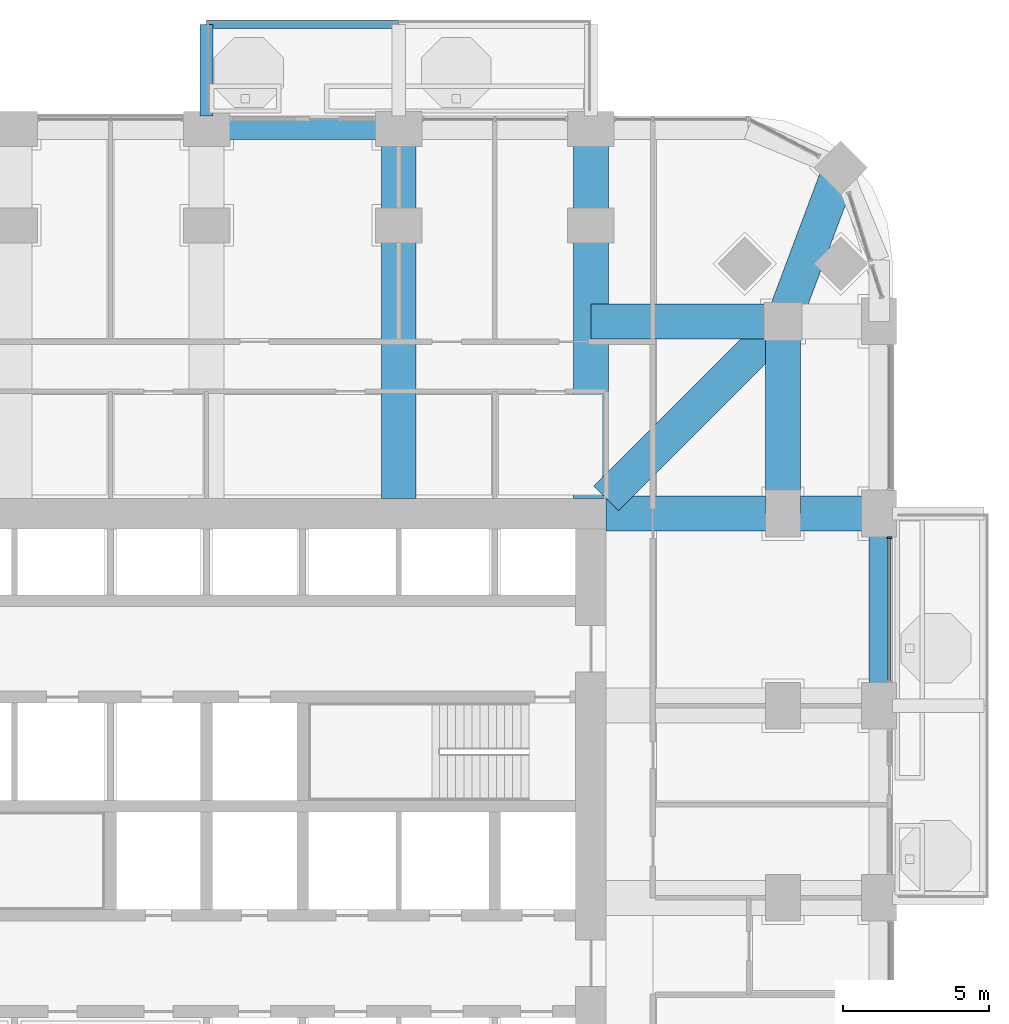
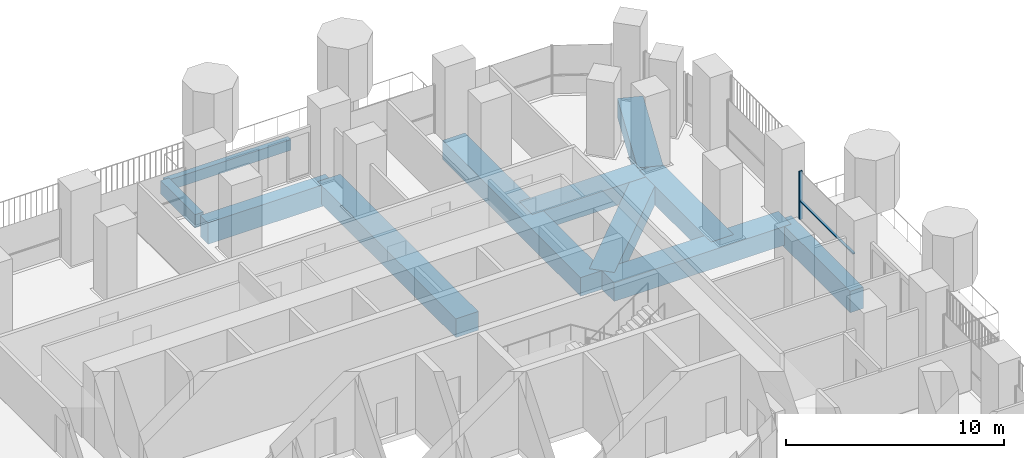
# One storey, part 7 of 22: 11 beams, 2 members, 1 element without a shape of its own.
"""IFC4 building model written with IfcOpenShell, lengths in metres."""

import ifcopenshell
import ifcopenshell.guid

model = None  # the IFC model being written
_history = None  # IfcOwnerHistory: only IFC2X3 demands one
_inside = {}  # id of a spatial element -> (the spatial element, [elements in it])
_under = {}  # id of a project, library or spatial element -> (it, [spatial elements below it])
_declared = {}  # id of a project -> (the project, [libraries it declares])
_typed = {}  # id of a type object -> (the type object, [elements of that type])
_made_of = {}  # id of a material, layer set ... -> (it, [elements and type objects made of it])


def new_model(schema):
    """Start an empty IFC model of exactly this schema.

    Asked for "IFC4X3", IfcOpenShell would pick the latest addendum, in which some entities
    have other attributes; the version numbers below select the first issue.
    IFC2X3 requires an IfcOwnerHistory on every rooted entity: one is made here for all.
    """
    global model, _history
    if schema == "IFC4X3":
        model = ifcopenshell.file(schema_version=(4, 3, 0, 0))
    else:
        model = ifcopenshell.file(schema=schema)
    _inside.clear()
    _under.clear()
    _declared.clear()
    _typed.clear()
    _made_of.clear()
    _history = None
    if model.schema == "IFC2X3":
        org = make("IfcOrganization", Name="unknown")
        user = make(
            "IfcPersonAndOrganization",
            ThePerson=make("IfcPerson", FamilyName="unknown"),
            TheOrganization=org,
        )
        app = make(
            "IfcApplication",
            ApplicationDeveloper=org,
            Version="unknown",
            ApplicationFullName="unknown",
            ApplicationIdentifier="unknown",
        )
        _history = make(
            "IfcOwnerHistory",
            OwningUser=user,
            OwningApplication=app,
            ChangeAction="ADDED",
            CreationDate=0,
        )
    return model


def make(cls, **values):
    """One entity of the class cls with the attributes given. An attribute that is None is left unset."""
    return model.create_entity(
        cls, **{name: value for name, value in values.items() if value is not None}
    )


def rooted(cls, **values):
    """An entity with a GlobalId (a new one), such as an element, a storey or a relation."""
    return make(cls, GlobalId=ifcopenshell.guid.new(), OwnerHistory=_history, **values)


def si_unit(unit_type, name, prefix=None):
    """IfcSIUnit, for example si_unit("LENGTHUNIT", "METRE", prefix="MILLI")."""
    return make("IfcSIUnit", UnitType=unit_type, Prefix=prefix, Name=name)


def assignment(units):
    """IfcUnitAssignment: the units of a project."""
    return None if units is None else make("IfcUnitAssignment", Units=units)


def point(xyz):
    """IfcCartesianPoint."""
    return None if xyz is None else make("IfcCartesianPoint", Coordinates=xyz)


def direction(xyz):
    """IfcDirection."""
    return None if xyz is None else make("IfcDirection", DirectionRatios=xyz)


def frame(location, z_axis=None, x_axis=None):
    """IfcAxis2Placement3D, a coordinate frame: its origin and axes. An axis left out is left unset."""
    return make(
        "IfcAxis2Placement3D",
        Location=point(location),
        Axis=direction(z_axis),
        RefDirection=direction(x_axis),
    )


def frame_2d(location, x_axis=None):
    """IfcAxis2Placement2D, a coordinate frame in the plane: its origin and x axis."""
    return make(
        "IfcAxis2Placement2D", Location=point(location), RefDirection=direction(x_axis)
    )


def origin():
    """The frame at (0, 0, 0) with its axes left unset."""
    return frame((0.0, 0.0, 0.0))


def origin_2d():
    """The frame at (0, 0) in the plane with its x axis left unset."""
    return frame_2d((0.0, 0.0))


def place(relative_to, where):
    """IfcLocalPlacement: puts the frame where relative to a parent placement (None: the world)."""
    return make(
        "IfcLocalPlacement", PlacementRelTo=relative_to, RelativePlacement=where
    )


def context(
    kind, dimensions, precision=None, world=None, true_north=None, identifier=None
):
    """IfcGeometricRepresentationContext, for example the 3D "Model" context."""
    return make(
        "IfcGeometricRepresentationContext",
        ContextIdentifier=identifier,
        ContextType=kind,
        CoordinateSpaceDimension=dimensions,
        Precision=precision,
        WorldCoordinateSystem=world,
        TrueNorth=true_north,
    )


def subcontext(parent, identifier, kind, view, scale=None):
    """IfcGeometricRepresentationSubContext, for example "Body" below "Model"."""
    return make(
        "IfcGeometricRepresentationSubContext",
        ContextIdentifier=identifier,
        ContextType=kind,
        ParentContext=parent,
        TargetScale=scale,
        TargetView=view,
    )


def project(units=None, contexts=None):
    """IfcProject with its units and contexts."""
    return rooted(
        "IfcProject",
        Name="project",
        RepresentationContexts=contexts,
        UnitsInContext=assignment(units),
    )


def spatial(cls, under=None, at=None, **own):
    """A site, building, storey or space (cls), placed at a placement, below another one or the project."""
    s = rooted(cls, ObjectPlacement=at, **own)
    if under is not None:
        _under.setdefault(under.id(), (under, []))[1].append(s)
    return s


def profile(cls, at=None, kind="AREA", **sizes):
    """A parametric profile (cls). Its sizes go by their IFC names, for example OverallWidth=200.0."""
    return make(cls, ProfileType=kind, Position=at, **sizes)


def rectangle(**sizes):
    """IfcRectangleProfileDef."""
    return profile("IfcRectangleProfileDef", **sizes)


def extrude(swept, where, along, depth):
    """IfcExtrudedAreaSolid: the profile swept, set in the frame where, extruded along a direction by depth."""
    return make(
        "IfcExtrudedAreaSolid",
        SweptArea=swept,
        Position=where,
        ExtrudedDirection=direction(along),
        Depth=depth,
    )


def shape(context_of_items, identifier, shape_type, items):
    """IfcShapeRepresentation: the items that make up one representation, for example the "Body"."""
    return make(
        "IfcShapeRepresentation",
        ContextOfItems=context_of_items,
        RepresentationIdentifier=identifier,
        RepresentationType=shape_type,
        Items=items,
    )


def material(Name=None, Category=None):
    """IfcMaterial."""
    return make("IfcMaterial", Name=Name, Category=Category)


def material_profile(
    of_material, cross_section, Name=None, Category=None, Priority=None
):
    """IfcMaterialProfile: a cross section and its material."""
    return make(
        "IfcMaterialProfile",
        Name=Name,
        Material=of_material,
        Profile=cross_section,
        Priority=Priority,
        Category=Category,
    )


def profile_set(profiles, Name=None, composite=None):
    """IfcMaterialProfileSet."""
    return make(
        "IfcMaterialProfileSet",
        Name=Name,
        MaterialProfiles=profiles,
        CompositeProfile=composite,
    )


def made_of(thing, what):
    """Note that an element or type object is made of a material, layer set ...; save() writes the relation."""
    if what is not None:
        _made_of.setdefault(what.id(), (what, []))[1].append(thing)
    return thing


def type_object(cls, material=None, **own):
    """A type object (cls), such as IfcWallType, which elements share."""
    return made_of(rooted(cls, **own), material)


def element(
    cls,
    number,
    at=None,
    inside=None,
    cuts=None,
    type_object=None,
    material=None,
    context=None,
    identifier="Body",
    shape_type=None,
    held_by="IfcProductDefinitionShape",
    body=None,
    shapes=None,
    **own,
):
    """One element of the class cls, such as IfcWall. Its Tag is "e" and its number.

    at: its placement. inside: the storey or other place that contains it. cuts: it is an
    opening in that element (IfcRelVoidsElement). A single representation is given by context,
    identifier, shape_type and body (its items); several are given by shapes. held_by: the class
    of the entity that holds the representations. save() writes the other relations.
    """
    e = rooted(cls, Tag="e%d" % number, ObjectPlacement=at, **own)
    if body is not None:
        shapes = [shape(context, identifier, shape_type, body)]
    if shapes is not None:
        e.Representation = make(held_by, Representations=shapes)
    if inside is not None:
        _inside.setdefault(inside.id(), (inside, []))[1].append(e)
    if cuts is not None:
        rooted(
            "IfcRelVoidsElement", RelatingBuildingElement=cuts, RelatedOpeningElement=e
        )
    if type_object is not None:
        _typed.setdefault(type_object.id(), (type_object, []))[1].append(e)
    return made_of(e, material)


def aggregate(whole, parts):
    """IfcRelAggregates: a whole, such as a stair, and the parts it consists of."""
    return rooted("IfcRelAggregates", RelatingObject=whole, RelatedObjects=parts)


def save(model, path):
    """Write the relations noted so far, then the file.

    IfcRelAggregates (storeys below a building ...), IfcRelContainedInSpatialStructure (elements
    in a storey), IfcRelDefinesByType, IfcRelAssociatesMaterial and IfcRelDeclares: one each for
    every whole, place, type object, material and project.
    """
    for whole, parts in _under.values():
        aggregate(whole, parts)
    for where, things in _inside.values():
        rooted(
            "IfcRelContainedInSpatialStructure",
            RelatedElements=things,
            RelatingStructure=where,
        )
    for kind, things in _typed.values():
        rooted("IfcRelDefinesByType", RelatedObjects=things, RelatingType=kind)
    for what, things in _made_of.values():
        rooted("IfcRelAssociatesMaterial", RelatedObjects=things, RelatingMaterial=what)
    for by, libraries in _declared.values():
        rooted("IfcRelDeclares", RelatingContext=by, RelatedDefinitions=libraries)
    model.write(path)


model = new_model("IFC4")

# Units and contexts
model_context = context("Model", 3, precision=1e-05, world=origin(), true_north=direction((0.0, 1.0)))
body_context = subcontext(model_context, "Body", "Model", "MODEL_VIEW")
ifc_project = project(units=[si_unit("LENGTHUNIT", "METRE"), si_unit("AREAUNIT", "SQUARE_METRE"), si_unit("VOLUMEUNIT", "CUBIC_METRE"), si_unit("PLANEANGLEUNIT", "RADIAN"), si_unit("MASSUNIT", "GRAM", prefix="KILO")], contexts=[model_context])

# Site, building, storey
site_placement = place(None, origin())
site = spatial("IfcSite", under=ifc_project, at=site_placement, CompositionType="ELEMENT")
building_placement = place(site_placement, origin())
building = spatial("IfcBuilding", under=site, at=building_placement, Name="Cobogo Forest Laboratory Tower", CompositionType="ELEMENT")
storey_placement = place(building_placement, frame((0.0, 0.0, 94.800048828125)))
storey = spatial("IfcBuildingStorey", under=building, at=storey_placement, Name="L21", CompositionType="ELEMENT", Elevation=94.800048828125)

# Beams
ifc_material_1 = material(Name="Concrete HA-40 (C40/50)", Category="concrete")
ifc_material_profile_1 = material_profile(ifc_material_1, rectangle(XDim=0.449951171875, YDim=0.75, at=origin_2d()), Name="RC 450x750")
ifc_profile_set_1 = profile_set([ifc_material_profile_1], Name="Concrete HA-40 (C40/50)")
beam_type_1 = type_object("IfcBeamType", Name="Balcony cantilever beam 450x750", PredefinedType="BEAM", material=ifc_profile_set_1)
beam_1_placement = place(storey_placement, frame((26.39990234375, 46.64990234375, -0.625), z_axis=(0.0, 1.0, 0.0), x_axis=(-1.0, 0.0, 0.0)))
element("IfcBeam", 1, at=beam_1_placement, inside=storey, type_object=beam_type_1, Name="CB1 BAL-N1-C1 L21", PredefinedType="BEAM", context=body_context, shape_type="SweptSolid", body=[
    extrude(rectangle(XDim=0.449951171875, YDim=0.75, at=origin_2d()), origin(), (0.0, 0.0, 1.0), 3.150146484375),
])
ifc_material_profile_2 = material_profile(ifc_material_1, rectangle(XDim=0.300048828125, YDim=0.60009765625, at=origin_2d()), Name="RC 300x600")
ifc_profile_set_2 = profile_set([ifc_material_profile_2], Name="Concrete HA-40 (C40/50)")
beam_type_2 = type_object("IfcBeamType", Name="Balcony edge beam 300x600", PredefinedType="BEAM", material=ifc_profile_set_2)
beam_2_placement = place(storey_placement, frame((26.39990234375, 49.800048828125, -0.550048828125), z_axis=(1.0, 0.0, 0.0), x_axis=(0.0, 1.0, 0.0)))
element("IfcBeam", 2, at=beam_2_placement, inside=storey, type_object=beam_type_2, Name="BB1 BAL-N1-T1 L21", PredefinedType="BEAM", context=body_context, shape_type="SweptSolid", body=[
    extrude(rectangle(XDim=0.300048828125, YDim=0.60009765625, at=origin_2d()), origin(), (0.0, 0.0, 1.0), 6.60009765625),
])
ifc_material_profile_3 = material_profile(ifc_material_1, rectangle(XDim=1.199951171875, YDim=1.050048828125, at=origin_2d()), Name="RC 1200x1050")
ifc_profile_set_3 = profile_set([ifc_material_profile_3], Name="Concrete HA-40 (C40/50)")
beam_type_3 = type_object("IfcBeamType", Name="Laboratory floor wide beam 1200x1050", PredefinedType="BEAM", material=ifc_profile_set_3)
for number, where, z_axis, x_axis, name in (
    (3, (33.0, 33.52490234375, -0.824951171875), (0.0, 1.0, 0.0), (-1.0, 0.0, 0.0), "RB1 R-6-N L21"),
    (4, (39.60009765625, 33.52490234375, -0.824951171875), (0.0, 1.0, 0.0), (-1.0, 0.0, 0.0), "RB1 R-7-N L21"),
):
    element("IfcBeam", number, at=place(storey_placement, frame(where, z_axis=z_axis, x_axis=x_axis)), inside=storey, type_object=beam_type_3, Name=name, PredefinedType="BEAM", context=body_context, shape_type="SweptSolid", body=[
        extrude(rectangle(XDim=1.199951171875, YDim=1.050048828125, at=origin_2d()), origin(), (0.0, 0.0, 1.0), 12.675048828125),
    ])
beam_3_placement = place(storey_placement, frame((40.125, 33.0, -0.824951171875), z_axis=(1.0, 0.0, 0.0), x_axis=(0.0, 1.0, 0.0)))
element("IfcBeam", 5, at=beam_3_placement, inside=storey, type_object=beam_type_3, Name="RB1 R-F-E L21", PredefinedType="BEAM", context=body_context, shape_type="SweptSolid", body=[
    extrude(rectangle(XDim=1.199951171875, YDim=1.050048828125, at=origin_2d()), origin(), (0.0, 0.0, 1.0), 9.375),
])
beam_4_placement = place(storey_placement, frame((46.199951171875, 39.60009765625, -0.824951171875), z_axis=(0.0, -1.0, 0.0), x_axis=(1.0, 0.0, 0.0)))
element("IfcBeam", 6, at=beam_4_placement, inside=storey, type_object=beam_type_3, Name="RB1 G-NE-XC L21", PredefinedType="BEAM", context=body_context, shape_type="SweptSolid", body=[
    extrude(rectangle(XDim=1.199951171875, YDim=1.050048828125, at=origin_2d()), origin(), (0.0, 0.0, 1.0), 6.60009765625),
])
beam_5_placement = place(storey_placement, frame((46.199951171875, 39.60009765625, -0.824951171875), z_axis=(-1.0, 0.0, 0.0), x_axis=(0.0, -1.0, 0.0)))
element("IfcBeam", 7, at=beam_5_placement, inside=storey, type_object=beam_type_3, Name="RB1 G-NE-YC L21", PredefinedType="BEAM", context=body_context, shape_type="SweptSolid", body=[
    extrude(rectangle(XDim=1.199951171875, YDim=1.050048828125, at=origin_2d()), origin(), (0.0, 0.0, 1.0), 6.599853515625),
])
beam_6_placement = place(storey_placement, frame((48.181884765625, 44.882080078125, -0.824951171875), z_axis=(-0.351308391925, -0.936259800356, 0.0), x_axis=(0.936259800356, -0.351308391925, 0.0)))
element("IfcBeam", 8, at=beam_6_placement, inside=storey, type_object=beam_type_3, Name="RB1 G-NE-D1 L21", PredefinedType="BEAM", context=body_context, shape_type="SweptSolid", body=[
    extrude(rectangle(XDim=1.199951171875, YDim=1.050048828125, at=origin_2d()), origin(), (0.0, 0.0, 1.0), 5.6416015625),
])
beam_7_placement = place(storey_placement, frame((46.199951171875, 39.60009765625, -0.824951171875), z_axis=(-0.707092572697, -0.70712098939, 0.0), x_axis=(0.70712098939, -0.707092572697, 0.0)))
element("IfcBeam", 9, at=beam_7_placement, inside=storey, type_object=beam_type_3, Name="RB1 G-NE-D2 L21", PredefinedType="BEAM", context=body_context, shape_type="SweptSolid", body=[
    extrude(rectangle(XDim=1.199951171875, YDim=1.050048828125, at=origin_2d()), origin(), (0.0, 0.0, 1.0), 8.591552734375),
])

# Curtain wall, member
ifc_material_2 = material(Name="Aluminium curtain wall", Category="aluminium")
curtain_wall_type = type_object("IfcCurtainWallType", Name="CW-1 unitised curtain wall, clear glazing, laboratory floors zones A and B", PredefinedType="USERDEFINED", material=ifc_material_2)
curtain_wall_placement = place(storey_placement, origin())
curtain_wall = element("IfcCurtainWall", 10, at=curtain_wall_placement, inside=storey, type_object=curtain_wall_type, Name="Curtain wall 13 L21", ObjectType="UNITISED CURTAIN WALL", PredefinedType="USERDEFINED")
ifc_material_3 = material(Name="Aluminium mullion", Category="aluminium")
ifc_material_profile_4 = material_profile(ifc_material_3, rectangle(XDim=0.06005859375, YDim=0.159912109375, at=origin_2d()), Name="AL 60x160")
ifc_profile_set_4 = profile_set([ifc_material_profile_4], Name="Aluminium mullion")
member_type_1 = type_object("IfcMemberType", Name="MU-1 aluminium mullion 60x160", PredefinedType="MULLION", material=ifc_profile_set_4)
member_1_placement = place(storey_placement, frame((49.85009765625, 32.169921875, 0.0), z_axis=(0.0, 0.0, 1.0), x_axis=(0.0, 1.0, 0.0)))
member_1 = element("IfcMember", 11, at=member_1_placement, type_object=member_type_1, Name="CW-1 mullion 2", PredefinedType="MULLION", context=body_context, shape_type="SweptSolid", body=[
    extrude(rectangle(XDim=0.06005859375, YDim=0.159912109375, at=origin_2d()), origin(), (0.0, 0.0, 1.0), 2.699951171875),
])

# Beams
ifc_material_profile_5 = material_profile(ifc_material_1, rectangle(XDim=0.699951171875, YDim=1.199951171875, at=origin_2d()), Name="RC 700x1200")
ifc_profile_set_5 = profile_set([ifc_material_profile_5], Name="Concrete HA-40 (C40/50)")
beam_type_4 = type_object("IfcBeamType", Name="Perimeter edge beam 700x1200", PredefinedType="BEAM", material=ifc_profile_set_5)
for number, where, z_axis, x_axis, name in (
    (12, (49.5, 26.39990234375, -0.900146484375), (0.0, 1.0, 0.0), (-1.0, 0.0, 0.0), "EB1 E-E4 L21"),
    (13, (26.39990234375, 46.199951171875, -0.900146484375), (1.0, 0.0, 0.0), (0.0, 1.0, 0.0), "EB1 E-N3 L21"),
):
    element("IfcBeam", number, at=place(storey_placement, frame(where, z_axis=z_axis, x_axis=x_axis)), inside=storey, type_object=beam_type_4, Name=name, PredefinedType="BEAM", context=body_context, shape_type="SweptSolid", body=[
        extrude(rectangle(XDim=0.699951171875, YDim=1.199951171875, at=origin_2d()), origin(), (0.0, 0.0, 1.0), 6.60009765625),
    ])

# Member
ifc_material_4 = material(Name="Aluminium transom", Category="aluminium")
ifc_material_profile_6 = material_profile(ifc_material_4, rectangle(XDim=0.1201171875, YDim=0.06005859375, at=origin_2d()), Name="AL 60x120")
ifc_profile_set_6 = profile_set([ifc_material_profile_6], Name="Aluminium transom")
member_type_2 = type_object("IfcMemberType", Name="TR-1 aluminium transom 60x120", PredefinedType="USERDEFINED", material=ifc_profile_set_6)
member_2_placement = place(storey_placement, frame((49.85009765625, 27.260009765625, 1.050048828125), z_axis=(0.0, 1.0, 0.0), x_axis=(-1.0, 0.0, 0.0)))
member_2 = element("IfcMember", 14, at=member_2_placement, type_object=member_type_2, Name="CW-1 transom 1.1", ObjectType="TRANSOM", PredefinedType="USERDEFINED", context=body_context, shape_type="SweptSolid", body=[
    extrude(rectangle(XDim=0.1201171875, YDim=0.06005859375, at=origin_2d()), origin(), (0.0, 0.0, 1.0), 4.8798828125),
])

aggregate(curtain_wall, [member_1, member_2])

save(model, "model.ifc")
